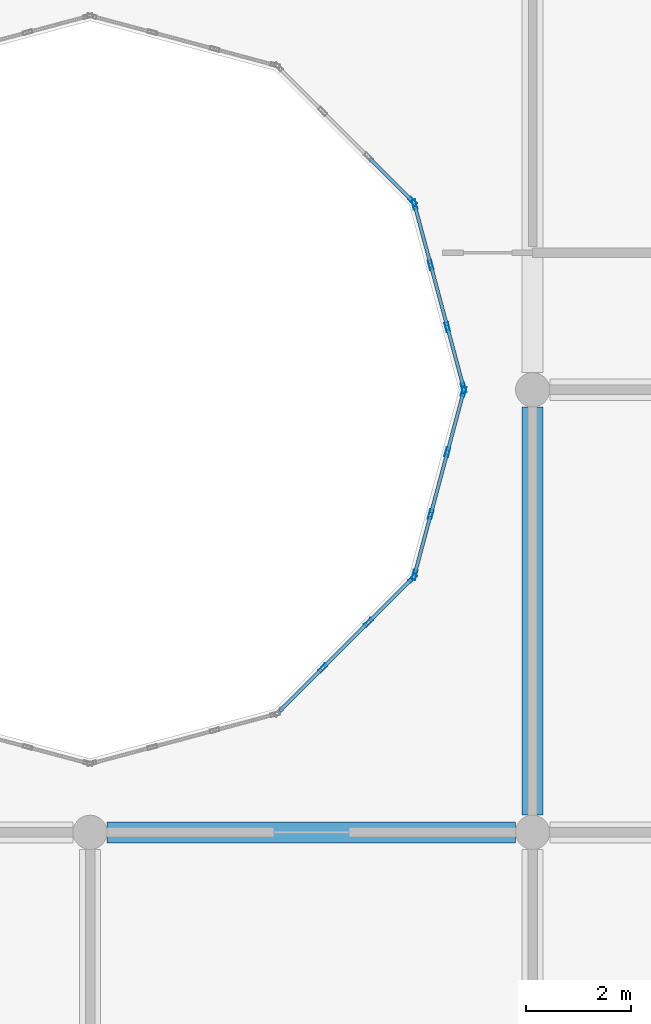
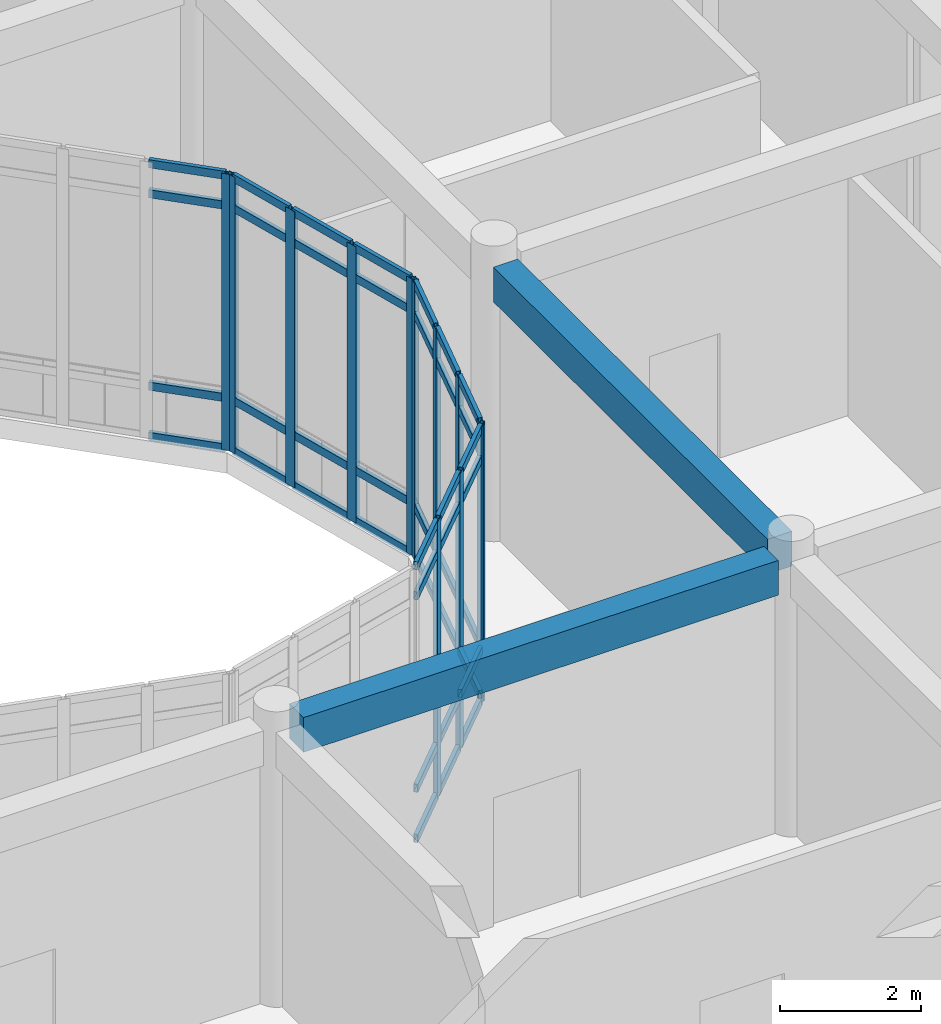
# One storey, part 44 of 134: 52 members, 2 beams, 4 elements without a shape of their own.
"""IFC4 building model written with IfcOpenShell, lengths in metres."""

from ifc_helpers import new_model, si_unit, direction, frame, origin, origin_2d, place, context, subcontext, project, spatial, rectangle, hollow_rectangle, extrude, material, layer, layer_set, material_profile, profile_set, type_object, element, aggregate, save


model = new_model("IFC4")

# Units and contexts
model_context = context("Model", 3, precision=1e-05, world=origin(), true_north=direction((0.0, 1.0)))
body_context = subcontext(model_context, "Body", "Model", "MODEL_VIEW")
ifc_project = project(units=[si_unit("LENGTHUNIT", "METRE"), si_unit("AREAUNIT", "SQUARE_METRE"), si_unit("VOLUMEUNIT", "CUBIC_METRE"), si_unit("PLANEANGLEUNIT", "RADIAN"), si_unit("MASSUNIT", "GRAM", prefix="KILO")], contexts=[model_context])

# Site, building, storey
site_placement = place(None, origin())
site = spatial("IfcSite", under=ifc_project, at=site_placement, CompositionType="ELEMENT")
building_placement = place(site_placement, origin())
building = spatial("IfcBuilding", under=site, at=building_placement, Name="Bramfleet General Hospital", CompositionType="ELEMENT")
storey_placement = place(building_placement, frame((0.0, 0.0, 9.300048828125)))
storey = spatial("IfcBuildingStorey", under=building, at=storey_placement, Name="L02", CompositionType="ELEMENT", Elevation=9.300048828125)

# Beams
ifc_material_1 = material(Name="Concrete C35/45", Category="concrete")
ifc_material_profile_1 = material_profile(ifc_material_1, rectangle(XDim=0.39990234375, YDim=0.60009765625, at=origin_2d()), Name="RC BM 600x400")
ifc_profile_set_1 = profile_set([ifc_material_profile_1], Name="Concrete C35/45")
beam_type = type_object("IfcBeamType", Name="BM-RC600", PredefinedType="BEAM", material=ifc_profile_set_1)
for number, where, z_axis, x_axis, name in (
    (1, (84.324951171875, 67.199951171875, 4.47998046875), (1.0, 0.0, 0.0), (0.0, 1.0, 0.0), "L02 Grid Beam X 10-08"),
    (2, (92.39990234375, 67.52490234375, 4.47998046875), (0.0, 1.0, 0.0), (-1.0, 0.0, 0.0), "L02 Grid Beam Y 11-08"),
):
    element("IfcBeam", number, at=place(storey_placement, frame(where, z_axis=z_axis, x_axis=x_axis)), inside=storey, type_object=beam_type, Name=name, PredefinedType="BEAM", context=body_context, shape_type="SweptSolid", body=[
        extrude(rectangle(XDim=0.39990234375, YDim=0.60009765625, at=origin_2d()), origin(), (0.0, 0.0, 1.0), 7.75),
    ])

# Curtain wall, members
ifc_material_2 = material(Name="Anodised aluminium and low-E triple glazing", Category="aluminium")
ifc_layer_1 = layer(ifc_material_2, 0.179931640625, Name="CWT-CW-13")
ifc_layer_set_1 = layer_set([ifc_layer_1], Name="Anodised aluminium and low-E triple glazing")
curtain_wall_type_1 = type_object("IfcCurtainWallType", Name="CWT-CW-13", PredefinedType="USERDEFINED", material=ifc_layer_set_1)
curtain_wall_1_placement = place(storey_placement, origin())
curtain_wall_1 = element("IfcCurtainWall", 3, at=curtain_wall_1_placement, inside=storey, type_object=curtain_wall_type_1, Name="L02 Central Diagnostic Light Court Curtain Wall 5.1", ObjectType="Stick curtain wall", PredefinedType="USERDEFINED")
ifc_material_3 = material(Name="Anodised aluminium EN AW-6060", Category="aluminium")
ifc_material_profile_2 = material_profile(ifc_material_3, hollow_rectangle(XDim=0.070068359375, YDim=0.179931640625, WallThickness=0.00390625, at=origin_2d()), Name="ALU 180x70x4.0")
ifc_profile_set_2 = profile_set([ifc_material_profile_2], Name="Anodised aluminium EN AW-6060")
member_type_1 = type_object("IfcMemberType", Name="CWM-ALU180", PredefinedType="MULLION", material=ifc_profile_set_2)
member_1_placement = place(storey_placement, frame((88.416259765625, 70.3173828125, 0.0), z_axis=(0.0, 0.0, 1.0), x_axis=(-0.707106781187, 0.707106781187, 0.0)))
member_1 = element("IfcMember", 4, at=member_1_placement, type_object=member_type_1, Name="CW-13 mullion 2", PredefinedType="MULLION", context=body_context, shape_type="SweptSolid", body=[
    extrude(hollow_rectangle(XDim=0.070068359375, YDim=0.179931640625, WallThickness=0.00390625, at=origin_2d()), origin(), (0.0, 0.0, 1.0), 4.77001953125),
])
member_2_placement = place(storey_placement, frame((89.28271484375, 71.18359375, 0.0), z_axis=(0.0, 0.0, 1.0), x_axis=(-0.707106781187, 0.707106781187, 0.0)))
member_2 = element("IfcMember", 5, at=member_2_placement, type_object=member_type_1, Name="CW-13 mullion 3", PredefinedType="MULLION", context=body_context, shape_type="SweptSolid", body=[
    extrude(hollow_rectangle(XDim=0.070068359375, YDim=0.179931640625, WallThickness=0.00390625, at=origin_2d()), origin(), (0.0, 0.0, 1.0), 4.77001953125),
])
member_3_placement = place(storey_placement, frame((90.124267578125, 72.025146484375, 0.0), z_axis=(0.0, 0.0, 1.0), x_axis=(-0.707106781187, 0.707106781187, 0.0)))
member_3 = element("IfcMember", 6, at=member_3_placement, type_object=member_type_1, Name="CW-13 mullion 4", PredefinedType="MULLION", context=body_context, shape_type="SweptSolid", body=[
    extrude(hollow_rectangle(XDim=0.070068359375, YDim=0.179931640625, WallThickness=0.00390625, at=origin_2d()), origin(), (0.0, 0.0, 1.0), 4.77001953125),
])

ifc_layer_2 = layer(ifc_material_2, 0.179931640625, Name="CWT-CW-14")
ifc_layer_set_2 = layer_set([ifc_layer_2], Name="Anodised aluminium and low-E triple glazing")
curtain_wall_type_2 = type_object("IfcCurtainWallType", Name="CWT-CW-14", PredefinedType="USERDEFINED", material=ifc_layer_set_2)
curtain_wall_2_placement = place(storey_placement, origin())
curtain_wall_2 = element("IfcCurtainWall", 7, at=curtain_wall_2_placement, inside=storey, type_object=curtain_wall_type_2, Name="L02 Central Diagnostic Light Court Curtain Wall 6.1", ObjectType="Stick curtain wall", PredefinedType="USERDEFINED")
member_4_placement = place(storey_placement, frame((90.157958984375, 72.083740234375, 0.0), z_axis=(0.0, 0.0, 1.0), x_axis=(-0.965940765005, 0.258763286618, 0.0)))
member_4 = element("IfcMember", 8, at=member_4_placement, type_object=member_type_1, Name="CW-14 mullion 1", PredefinedType="MULLION", context=body_context, shape_type="SweptSolid", body=[
    extrude(hollow_rectangle(XDim=0.070068359375, YDim=0.179931640625, WallThickness=0.00390625, at=origin_2d()), origin(), (0.0, 0.0, 1.0), 4.77001953125),
])
member_5_placement = place(storey_placement, frame((90.466064453125, 73.2333984375, 0.0), z_axis=(0.0, 0.0, 1.0), x_axis=(-0.965940765005, 0.258763286618, 0.0)))
member_5 = element("IfcMember", 9, at=member_5_placement, type_object=member_type_1, Name="CW-14 mullion 2", PredefinedType="MULLION", context=body_context, shape_type="SweptSolid", body=[
    extrude(hollow_rectangle(XDim=0.070068359375, YDim=0.179931640625, WallThickness=0.00390625, at=origin_2d()), origin(), (0.0, 0.0, 1.0), 4.77001953125),
])
member_6_placement = place(storey_placement, frame((90.782958984375, 74.416748046875, 0.0), z_axis=(0.0, 0.0, 1.0), x_axis=(-0.965940765005, 0.258763286618, 0.0)))
member_6 = element("IfcMember", 10, at=member_6_placement, type_object=member_type_1, Name="CW-14 mullion 3", PredefinedType="MULLION", context=body_context, shape_type="SweptSolid", body=[
    extrude(hollow_rectangle(XDim=0.070068359375, YDim=0.179931640625, WallThickness=0.00390625, at=origin_2d()), origin(), (0.0, 0.0, 1.0), 4.77001953125),
])
member_7_placement = place(storey_placement, frame((91.091064453125, 75.566162109375, 0.0), z_axis=(0.0, 0.0, 1.0), x_axis=(-0.965940765005, 0.258763286618, 0.0)))
member_7 = element("IfcMember", 11, at=member_7_placement, type_object=member_type_1, Name="CW-14 mullion 4", PredefinedType="MULLION", context=body_context, shape_type="SweptSolid", body=[
    extrude(hollow_rectangle(XDim=0.070068359375, YDim=0.179931640625, WallThickness=0.00390625, at=origin_2d()), origin(), (0.0, 0.0, 1.0), 4.77001953125),
])

ifc_layer_3 = layer(ifc_material_2, 0.179931640625, Name="CWT-CW-15")
ifc_layer_set_3 = layer_set([ifc_layer_3], Name="Anodised aluminium and low-E triple glazing")
curtain_wall_type_3 = type_object("IfcCurtainWallType", Name="CWT-CW-15", PredefinedType="USERDEFINED", material=ifc_layer_set_3)
curtain_wall_3_placement = place(storey_placement, origin())
curtain_wall_3 = element("IfcCurtainWall", 12, at=curtain_wall_3_placement, inside=storey, type_object=curtain_wall_type_3, Name="L02 Central Diagnostic Light Court Curtain Wall 7.1", ObjectType="Stick curtain wall", PredefinedType="USERDEFINED")
member_8_placement = place(storey_placement, frame((91.091064453125, 75.6337890625, 0.0), z_axis=(0.0, 0.0, 1.0), x_axis=(-0.965940765005, -0.258763286618, 0.0)))
member_8 = element("IfcMember", 13, at=member_8_placement, type_object=member_type_1, Name="CW-15 mullion 1", PredefinedType="MULLION", context=body_context, shape_type="SweptSolid", body=[
    extrude(hollow_rectangle(XDim=0.070068359375, YDim=0.179931640625, WallThickness=0.00390625, at=origin_2d()), origin(), (0.0, 0.0, 1.0), 4.77001953125),
])
member_9_placement = place(storey_placement, frame((90.782958984375, 76.783447265625, 0.0), z_axis=(0.0, 0.0, 1.0), x_axis=(-0.965940765005, -0.258763286618, 0.0)))
member_9 = element("IfcMember", 14, at=member_9_placement, type_object=member_type_1, Name="CW-15 mullion 2", PredefinedType="MULLION", context=body_context, shape_type="SweptSolid", body=[
    extrude(hollow_rectangle(XDim=0.070068359375, YDim=0.179931640625, WallThickness=0.00390625, at=origin_2d()), origin(), (0.0, 0.0, 1.0), 4.77001953125),
])
member_10_placement = place(storey_placement, frame((90.466064453125, 77.966552734375, 0.0), z_axis=(0.0, 0.0, 1.0), x_axis=(-0.965940765005, -0.258763286618, 0.0)))
member_10 = element("IfcMember", 15, at=member_10_placement, type_object=member_type_1, Name="CW-15 mullion 3", PredefinedType="MULLION", context=body_context, shape_type="SweptSolid", body=[
    extrude(hollow_rectangle(XDim=0.070068359375, YDim=0.179931640625, WallThickness=0.00390625, at=origin_2d()), origin(), (0.0, 0.0, 1.0), 4.77001953125),
])
member_11_placement = place(storey_placement, frame((90.157958984375, 79.1162109375, 0.0), z_axis=(0.0, 0.0, 1.0), x_axis=(-0.965940765005, -0.258763286618, 0.0)))
member_11 = element("IfcMember", 16, at=member_11_placement, type_object=member_type_1, Name="CW-15 mullion 4", PredefinedType="MULLION", context=body_context, shape_type="SweptSolid", body=[
    extrude(hollow_rectangle(XDim=0.070068359375, YDim=0.179931640625, WallThickness=0.00390625, at=origin_2d()), origin(), (0.0, 0.0, 1.0), 4.77001953125),
])

# Curtain wall, member
ifc_layer_4 = layer(ifc_material_2, 0.179931640625, Name="CWT-CW-16")
ifc_layer_set_4 = layer_set([ifc_layer_4], Name="Anodised aluminium and low-E triple glazing")
curtain_wall_type_4 = type_object("IfcCurtainWallType", Name="CWT-CW-16", PredefinedType="USERDEFINED", material=ifc_layer_set_4)
curtain_wall_4_placement = place(storey_placement, origin())
curtain_wall_4 = element("IfcCurtainWall", 17, at=curtain_wall_4_placement, inside=storey, type_object=curtain_wall_type_4, Name="L02 Central Diagnostic Light Court Curtain Wall 8.1", ObjectType="Stick curtain wall", PredefinedType="USERDEFINED")
member_12_placement = place(storey_placement, frame((90.124267578125, 79.1748046875, 0.0), z_axis=(0.0, 0.0, 1.0), x_axis=(-0.707106781187, -0.707106781187, 0.0)))
member_12 = element("IfcMember", 18, at=member_12_placement, type_object=member_type_1, Name="CW-16 mullion 1", PredefinedType="MULLION", context=body_context, shape_type="SweptSolid", body=[
    extrude(hollow_rectangle(XDim=0.070068359375, YDim=0.179931640625, WallThickness=0.00390625, at=origin_2d()), origin(), (0.0, 0.0, 1.0), 4.77001953125),
])

# Member
ifc_material_profile_3 = material_profile(ifc_material_3, hollow_rectangle(XDim=0.06494140625, YDim=0.139892578125, WallThickness=0.00390625, at=origin_2d()), Name="ALU 140x65x4.0")
ifc_profile_set_3 = profile_set([ifc_material_profile_3], Name="Anodised aluminium EN AW-6060")
member_type_2 = type_object("IfcMemberType", Name="CWT-ALU140", PredefinedType="USERDEFINED", material=ifc_profile_set_3)
member_13_placement = place(storey_placement, frame((87.599609375, 69.50048828125, 0.032470703125), z_axis=(0.707106781187, 0.707106781187, 0.0), x_axis=(-0.707106781187, 0.707106781187, 0.0)))
member_13 = element("IfcMember", 19, at=member_13_placement, type_object=member_type_2, Name="CW-13 transom 1.1", ObjectType="TRANSOM", PredefinedType="USERDEFINED", context=body_context, shape_type="SweptSolid", body=[
    extrude(hollow_rectangle(XDim=0.06494140625, YDim=0.139892578125, WallThickness=0.00390625, at=origin_2d()), origin(), (0.0, 0.0, 1.0), 1.1201171875),
])

member_14_placement = place(storey_placement, frame((87.599609375, 69.50048828125, 0.89990234375), z_axis=(0.707106781187, 0.707106781187, 0.0), x_axis=(-0.707106781187, 0.707106781187, 0.0)))
member_14 = element("IfcMember", 20, at=member_14_placement, type_object=member_type_2, Name="CW-13 transom 1.2", ObjectType="TRANSOM", PredefinedType="USERDEFINED", context=body_context, shape_type="SweptSolid", body=[
    extrude(hollow_rectangle(XDim=0.06494140625, YDim=0.139892578125, WallThickness=0.00390625, at=origin_2d()), origin(), (0.0, 0.0, 1.0), 1.1201171875),
])

member_15_placement = place(storey_placement, frame((87.599609375, 69.50048828125, 4.219970703125), z_axis=(0.707106781187, 0.707106781187, 0.0), x_axis=(-0.707106781187, 0.707106781187, 0.0)))
member_15 = element("IfcMember", 21, at=member_15_placement, type_object=member_type_2, Name="CW-13 transom 1.3", ObjectType="TRANSOM", PredefinedType="USERDEFINED", context=body_context, shape_type="SweptSolid", body=[
    extrude(hollow_rectangle(XDim=0.06494140625, YDim=0.139892578125, WallThickness=0.00390625, at=origin_2d()), origin(), (0.0, 0.0, 1.0), 1.1201171875),
])

member_16_placement = place(storey_placement, frame((87.599609375, 69.50048828125, 4.737548828125), z_axis=(0.707106781187, 0.707106781187, 0.0), x_axis=(-0.707106781187, 0.707106781187, 0.0)))
member_16 = element("IfcMember", 22, at=member_16_placement, type_object=member_type_2, Name="CW-13 transom 1.4", ObjectType="TRANSOM", PredefinedType="USERDEFINED", context=body_context, shape_type="SweptSolid", body=[
    extrude(hollow_rectangle(XDim=0.06494140625, YDim=0.139892578125, WallThickness=0.00390625, at=origin_2d()), origin(), (0.0, 0.0, 1.0), 1.1201171875),
])

member_17_placement = place(storey_placement, frame((88.441162109375, 70.342041015625, 0.032470703125), z_axis=(0.707001093006, 0.707212453572, 0.0), x_axis=(-0.707212453572, 0.707001093006, 0.0)))
member_17 = element("IfcMember", 23, at=member_17_placement, type_object=member_type_2, Name="CW-13 transom 2.1", ObjectType="TRANSOM", PredefinedType="USERDEFINED", context=body_context, shape_type="SweptSolid", body=[
    extrude(hollow_rectangle(XDim=0.06494140625, YDim=0.139892578125, WallThickness=0.00390625, at=origin_2d()), origin(), (0.0, 0.0, 1.0), 1.155029296875),
])

member_18_placement = place(storey_placement, frame((88.441162109375, 70.342041015625, 0.89990234375), z_axis=(0.707001093006, 0.707212453572, 0.0), x_axis=(-0.707212453572, 0.707001093006, 0.0)))
member_18 = element("IfcMember", 24, at=member_18_placement, type_object=member_type_2, Name="CW-13 transom 2.2", ObjectType="TRANSOM", PredefinedType="USERDEFINED", context=body_context, shape_type="SweptSolid", body=[
    extrude(hollow_rectangle(XDim=0.06494140625, YDim=0.139892578125, WallThickness=0.00390625, at=origin_2d()), origin(), (0.0, 0.0, 1.0), 1.155029296875),
])

member_19_placement = place(storey_placement, frame((88.441162109375, 70.342041015625, 4.219970703125), z_axis=(0.707001093006, 0.707212453572, 0.0), x_axis=(-0.707212453572, 0.707001093006, 0.0)))
member_19 = element("IfcMember", 25, at=member_19_placement, type_object=member_type_2, Name="CW-13 transom 2.3", ObjectType="TRANSOM", PredefinedType="USERDEFINED", context=body_context, shape_type="SweptSolid", body=[
    extrude(hollow_rectangle(XDim=0.06494140625, YDim=0.139892578125, WallThickness=0.00390625, at=origin_2d()), origin(), (0.0, 0.0, 1.0), 1.155029296875),
])

member_20_placement = place(storey_placement, frame((88.441162109375, 70.342041015625, 4.737548828125), z_axis=(0.707001093006, 0.707212453572, 0.0), x_axis=(-0.707212453572, 0.707001093006, 0.0)))
member_20 = element("IfcMember", 26, at=member_20_placement, type_object=member_type_2, Name="CW-13 transom 2.4", ObjectType="TRANSOM", PredefinedType="USERDEFINED", context=body_context, shape_type="SweptSolid", body=[
    extrude(hollow_rectangle(XDim=0.06494140625, YDim=0.139892578125, WallThickness=0.00390625, at=origin_2d()), origin(), (0.0, 0.0, 1.0), 1.155029296875),
])

member_21_placement = place(storey_placement, frame((89.307373046875, 71.20849609375, 0.032470703125), z_axis=(0.707215742858, 0.706997802722, 0.0), x_axis=(-0.706997802722, 0.707215742858, 0.0)))
member_21 = element("IfcMember", 27, at=member_21_placement, type_object=member_type_2, Name="CW-13 transom 3.1", ObjectType="TRANSOM", PredefinedType="USERDEFINED", context=body_context, shape_type="SweptSolid", body=[
    extrude(hollow_rectangle(XDim=0.06494140625, YDim=0.139892578125, WallThickness=0.00390625, at=origin_2d()), origin(), (0.0, 0.0, 1.0), 1.1201171875),
])

member_22_placement = place(storey_placement, frame((89.307373046875, 71.20849609375, 0.89990234375), z_axis=(0.707215742858, 0.706997802722, 0.0), x_axis=(-0.706997802722, 0.707215742858, 0.0)))
member_22 = element("IfcMember", 28, at=member_22_placement, type_object=member_type_2, Name="CW-13 transom 3.2", ObjectType="TRANSOM", PredefinedType="USERDEFINED", context=body_context, shape_type="SweptSolid", body=[
    extrude(hollow_rectangle(XDim=0.06494140625, YDim=0.139892578125, WallThickness=0.00390625, at=origin_2d()), origin(), (0.0, 0.0, 1.0), 1.1201171875),
])

member_23_placement = place(storey_placement, frame((89.307373046875, 71.20849609375, 4.219970703125), z_axis=(0.707215742858, 0.706997802722, 0.0), x_axis=(-0.706997802722, 0.707215742858, 0.0)))
member_23 = element("IfcMember", 29, at=member_23_placement, type_object=member_type_2, Name="CW-13 transom 3.3", ObjectType="TRANSOM", PredefinedType="USERDEFINED", context=body_context, shape_type="SweptSolid", body=[
    extrude(hollow_rectangle(XDim=0.06494140625, YDim=0.139892578125, WallThickness=0.00390625, at=origin_2d()), origin(), (0.0, 0.0, 1.0), 1.1201171875),
])

member_24_placement = place(storey_placement, frame((89.307373046875, 71.20849609375, 4.737548828125), z_axis=(0.707215742858, 0.706997802722, 0.0), x_axis=(-0.706997802722, 0.707215742858, 0.0)))
member_24 = element("IfcMember", 30, at=member_24_placement, type_object=member_type_2, Name="CW-13 transom 3.4", ObjectType="TRANSOM", PredefinedType="USERDEFINED", context=body_context, shape_type="SweptSolid", body=[
    extrude(hollow_rectangle(XDim=0.06494140625, YDim=0.139892578125, WallThickness=0.00390625, at=origin_2d()), origin(), (0.0, 0.0, 1.0), 1.1201171875),
])

aggregate(curtain_wall_1, [member_1, member_2, member_3, member_13, member_14, member_15, member_16, member_17, member_18, member_19, member_20, member_21, member_22, member_23, member_24])

member_25_placement = place(storey_placement, frame((90.1669921875, 72.11767578125, 0.032470703125), z_axis=(0.258964892978, 0.965886734667, 0.0), x_axis=(-0.965886734667, 0.258964892978, 0.0)))
member_25 = element("IfcMember", 31, at=member_25_placement, type_object=member_type_2, Name="CW-14 transom 1.1", ObjectType="TRANSOM", PredefinedType="USERDEFINED", context=body_context, shape_type="SweptSolid", body=[
    extrude(hollow_rectangle(XDim=0.06494140625, YDim=0.139892578125, WallThickness=0.00390625, at=origin_2d()), origin(), (0.0, 0.0, 1.0), 1.119873046875),
])

member_26_placement = place(storey_placement, frame((90.1669921875, 72.11767578125, 0.89990234375), z_axis=(0.258964892978, 0.965886734667, 0.0), x_axis=(-0.965886734667, 0.258964892978, 0.0)))
member_26 = element("IfcMember", 32, at=member_26_placement, type_object=member_type_2, Name="CW-14 transom 1.2", ObjectType="TRANSOM", PredefinedType="USERDEFINED", context=body_context, shape_type="SweptSolid", body=[
    extrude(hollow_rectangle(XDim=0.06494140625, YDim=0.139892578125, WallThickness=0.00390625, at=origin_2d()), origin(), (0.0, 0.0, 1.0), 1.119873046875),
])

member_27_placement = place(storey_placement, frame((90.1669921875, 72.11767578125, 4.219970703125), z_axis=(0.258964892978, 0.965886734667, 0.0), x_axis=(-0.965886734667, 0.258964892978, 0.0)))
member_27 = element("IfcMember", 33, at=member_27_placement, type_object=member_type_2, Name="CW-14 transom 1.3", ObjectType="TRANSOM", PredefinedType="USERDEFINED", context=body_context, shape_type="SweptSolid", body=[
    extrude(hollow_rectangle(XDim=0.06494140625, YDim=0.139892578125, WallThickness=0.00390625, at=origin_2d()), origin(), (0.0, 0.0, 1.0), 1.119873046875),
])

member_28_placement = place(storey_placement, frame((90.1669921875, 72.11767578125, 4.737548828125), z_axis=(0.258964892978, 0.965886734667, 0.0), x_axis=(-0.965886734667, 0.258964892978, 0.0)))
member_28 = element("IfcMember", 34, at=member_28_placement, type_object=member_type_2, Name="CW-14 transom 1.4", ObjectType="TRANSOM", PredefinedType="USERDEFINED", context=body_context, shape_type="SweptSolid", body=[
    extrude(hollow_rectangle(XDim=0.06494140625, YDim=0.139892578125, WallThickness=0.00390625, at=origin_2d()), origin(), (0.0, 0.0, 1.0), 1.119873046875),
])

member_29_placement = place(storey_placement, frame((90.47509765625, 73.26708984375, 0.032470703125), z_axis=(0.258714954608, 0.965953711242, 0.0), x_axis=(-0.965953711242, 0.258714954608, 0.0)))
member_29 = element("IfcMember", 35, at=member_29_placement, type_object=member_type_2, Name="CW-14 transom 2.1", ObjectType="TRANSOM", PredefinedType="USERDEFINED", context=body_context, shape_type="SweptSolid", body=[
    extrude(hollow_rectangle(XDim=0.06494140625, YDim=0.139892578125, WallThickness=0.00390625, at=origin_2d()), origin(), (0.0, 0.0, 1.0), 1.155029296875),
])

member_30_placement = place(storey_placement, frame((90.47509765625, 73.26708984375, 0.89990234375), z_axis=(0.258714954608, 0.965953711242, 0.0), x_axis=(-0.965953711242, 0.258714954608, 0.0)))
member_30 = element("IfcMember", 36, at=member_30_placement, type_object=member_type_2, Name="CW-14 transom 2.2", ObjectType="TRANSOM", PredefinedType="USERDEFINED", context=body_context, shape_type="SweptSolid", body=[
    extrude(hollow_rectangle(XDim=0.06494140625, YDim=0.139892578125, WallThickness=0.00390625, at=origin_2d()), origin(), (0.0, 0.0, 1.0), 1.155029296875),
])

member_31_placement = place(storey_placement, frame((90.47509765625, 73.26708984375, 4.219970703125), z_axis=(0.258714954608, 0.965953711242, 0.0), x_axis=(-0.965953711242, 0.258714954608, 0.0)))
member_31 = element("IfcMember", 37, at=member_31_placement, type_object=member_type_2, Name="CW-14 transom 2.3", ObjectType="TRANSOM", PredefinedType="USERDEFINED", context=body_context, shape_type="SweptSolid", body=[
    extrude(hollow_rectangle(XDim=0.06494140625, YDim=0.139892578125, WallThickness=0.00390625, at=origin_2d()), origin(), (0.0, 0.0, 1.0), 1.155029296875),
])

member_32_placement = place(storey_placement, frame((90.47509765625, 73.26708984375, 4.737548828125), z_axis=(0.258714954608, 0.965953711242, 0.0), x_axis=(-0.965953711242, 0.258714954608, 0.0)))
member_32 = element("IfcMember", 38, at=member_32_placement, type_object=member_type_2, Name="CW-14 transom 2.4", ObjectType="TRANSOM", PredefinedType="USERDEFINED", context=body_context, shape_type="SweptSolid", body=[
    extrude(hollow_rectangle(XDim=0.06494140625, YDim=0.139892578125, WallThickness=0.00390625, at=origin_2d()), origin(), (0.0, 0.0, 1.0), 1.155029296875),
])

member_33_placement = place(storey_placement, frame((90.7919921875, 74.450439453125, 0.032470703125), z_axis=(0.25870703371, 0.965955832691, 0.0), x_axis=(-0.965955832691, 0.25870703371, 0.0)))
member_33 = element("IfcMember", 39, at=member_33_placement, type_object=member_type_2, Name="CW-14 transom 3.1", ObjectType="TRANSOM", PredefinedType="USERDEFINED", context=body_context, shape_type="SweptSolid", body=[
    extrude(hollow_rectangle(XDim=0.06494140625, YDim=0.139892578125, WallThickness=0.00390625, at=origin_2d()), origin(), (0.0, 0.0, 1.0), 1.1201171875),
])

member_34_placement = place(storey_placement, frame((90.7919921875, 74.450439453125, 0.89990234375), z_axis=(0.25870703371, 0.965955832691, 0.0), x_axis=(-0.965955832691, 0.25870703371, 0.0)))
member_34 = element("IfcMember", 40, at=member_34_placement, type_object=member_type_2, Name="CW-14 transom 3.2", ObjectType="TRANSOM", PredefinedType="USERDEFINED", context=body_context, shape_type="SweptSolid", body=[
    extrude(hollow_rectangle(XDim=0.06494140625, YDim=0.139892578125, WallThickness=0.00390625, at=origin_2d()), origin(), (0.0, 0.0, 1.0), 1.1201171875),
])

member_35_placement = place(storey_placement, frame((90.7919921875, 74.450439453125, 4.219970703125), z_axis=(0.25870703371, 0.965955832691, 0.0), x_axis=(-0.965955832691, 0.25870703371, 0.0)))
member_35 = element("IfcMember", 41, at=member_35_placement, type_object=member_type_2, Name="CW-14 transom 3.3", ObjectType="TRANSOM", PredefinedType="USERDEFINED", context=body_context, shape_type="SweptSolid", body=[
    extrude(hollow_rectangle(XDim=0.06494140625, YDim=0.139892578125, WallThickness=0.00390625, at=origin_2d()), origin(), (0.0, 0.0, 1.0), 1.1201171875),
])

member_36_placement = place(storey_placement, frame((90.7919921875, 74.450439453125, 4.737548828125), z_axis=(0.25870703371, 0.965955832691, 0.0), x_axis=(-0.965955832691, 0.25870703371, 0.0)))
member_36 = element("IfcMember", 42, at=member_36_placement, type_object=member_type_2, Name="CW-14 transom 3.4", ObjectType="TRANSOM", PredefinedType="USERDEFINED", context=body_context, shape_type="SweptSolid", body=[
    extrude(hollow_rectangle(XDim=0.06494140625, YDim=0.139892578125, WallThickness=0.00390625, at=origin_2d()), origin(), (0.0, 0.0, 1.0), 1.1201171875),
])

aggregate(curtain_wall_2, [member_4, member_5, member_6, member_7, member_25, member_26, member_27, member_28, member_29, member_30, member_31, member_32, member_33, member_34, member_35, member_36])

member_37_placement = place(storey_placement, frame((91.081787109375, 75.667724609375, 0.032470703125), z_axis=(-0.258761510459, 0.965941240814, 0.0), x_axis=(-0.965941240814, -0.258761510459, 0.0)))
member_37 = element("IfcMember", 43, at=member_37_placement, type_object=member_type_2, Name="CW-15 transom 1.1", ObjectType="TRANSOM", PredefinedType="USERDEFINED", context=body_context, shape_type="SweptSolid", body=[
    extrude(hollow_rectangle(XDim=0.06494140625, YDim=0.139892578125, WallThickness=0.00390625, at=origin_2d()), origin(), (0.0, 0.0, 1.0), 1.119873046875),
])

member_38_placement = place(storey_placement, frame((91.081787109375, 75.667724609375, 0.89990234375), z_axis=(-0.258761510459, 0.965941240814, 0.0), x_axis=(-0.965941240814, -0.258761510459, 0.0)))
member_38 = element("IfcMember", 44, at=member_38_placement, type_object=member_type_2, Name="CW-15 transom 1.2", ObjectType="TRANSOM", PredefinedType="USERDEFINED", context=body_context, shape_type="SweptSolid", body=[
    extrude(hollow_rectangle(XDim=0.06494140625, YDim=0.139892578125, WallThickness=0.00390625, at=origin_2d()), origin(), (0.0, 0.0, 1.0), 1.119873046875),
])

member_39_placement = place(storey_placement, frame((91.081787109375, 75.667724609375, 4.219970703125), z_axis=(-0.258761510459, 0.965941240814, 0.0), x_axis=(-0.965941240814, -0.258761510459, 0.0)))
member_39 = element("IfcMember", 45, at=member_39_placement, type_object=member_type_2, Name="CW-15 transom 1.3", ObjectType="TRANSOM", PredefinedType="USERDEFINED", context=body_context, shape_type="SweptSolid", body=[
    extrude(hollow_rectangle(XDim=0.06494140625, YDim=0.139892578125, WallThickness=0.00390625, at=origin_2d()), origin(), (0.0, 0.0, 1.0), 1.119873046875),
])

member_40_placement = place(storey_placement, frame((91.081787109375, 75.667724609375, 4.737548828125), z_axis=(-0.258761510459, 0.965941240814, 0.0), x_axis=(-0.965941240814, -0.258761510459, 0.0)))
member_40 = element("IfcMember", 46, at=member_40_placement, type_object=member_type_2, Name="CW-15 transom 1.4", ObjectType="TRANSOM", PredefinedType="USERDEFINED", context=body_context, shape_type="SweptSolid", body=[
    extrude(hollow_rectangle(XDim=0.06494140625, YDim=0.139892578125, WallThickness=0.00390625, at=origin_2d()), origin(), (0.0, 0.0, 1.0), 1.119873046875),
])

member_41_placement = place(storey_placement, frame((90.77392578125, 76.817138671875, 0.032470703125), z_axis=(-0.258714954608, 0.965953711242, 0.0), x_axis=(-0.965953711242, -0.258714954608, 0.0)))
member_41 = element("IfcMember", 47, at=member_41_placement, type_object=member_type_2, Name="CW-15 transom 2.1", ObjectType="TRANSOM", PredefinedType="USERDEFINED", context=body_context, shape_type="SweptSolid", body=[
    extrude(hollow_rectangle(XDim=0.06494140625, YDim=0.139892578125, WallThickness=0.00390625, at=origin_2d()), origin(), (0.0, 0.0, 1.0), 1.155029296875),
])

member_42_placement = place(storey_placement, frame((90.77392578125, 76.817138671875, 0.89990234375), z_axis=(-0.258714954608, 0.965953711242, 0.0), x_axis=(-0.965953711242, -0.258714954608, 0.0)))
member_42 = element("IfcMember", 48, at=member_42_placement, type_object=member_type_2, Name="CW-15 transom 2.2", ObjectType="TRANSOM", PredefinedType="USERDEFINED", context=body_context, shape_type="SweptSolid", body=[
    extrude(hollow_rectangle(XDim=0.06494140625, YDim=0.139892578125, WallThickness=0.00390625, at=origin_2d()), origin(), (0.0, 0.0, 1.0), 1.155029296875),
])

member_43_placement = place(storey_placement, frame((90.77392578125, 76.817138671875, 4.219970703125), z_axis=(-0.258714954608, 0.965953711242, 0.0), x_axis=(-0.965953711242, -0.258714954608, 0.0)))
member_43 = element("IfcMember", 49, at=member_43_placement, type_object=member_type_2, Name="CW-15 transom 2.3", ObjectType="TRANSOM", PredefinedType="USERDEFINED", context=body_context, shape_type="SweptSolid", body=[
    extrude(hollow_rectangle(XDim=0.06494140625, YDim=0.139892578125, WallThickness=0.00390625, at=origin_2d()), origin(), (0.0, 0.0, 1.0), 1.155029296875),
])

member_44_placement = place(storey_placement, frame((90.77392578125, 76.817138671875, 4.737548828125), z_axis=(-0.258714954608, 0.965953711242, 0.0), x_axis=(-0.965953711242, -0.258714954608, 0.0)))
member_44 = element("IfcMember", 50, at=member_44_placement, type_object=member_type_2, Name="CW-15 transom 2.4", ObjectType="TRANSOM", PredefinedType="USERDEFINED", context=body_context, shape_type="SweptSolid", body=[
    extrude(hollow_rectangle(XDim=0.06494140625, YDim=0.139892578125, WallThickness=0.00390625, at=origin_2d()), origin(), (0.0, 0.0, 1.0), 1.155029296875),
])

member_45_placement = place(storey_placement, frame((90.45703125, 78.00048828125, 0.032470703125), z_axis=(-0.258964892978, 0.965886734667, 0.0), x_axis=(-0.965886734667, -0.258964892978, 0.0)))
member_45 = element("IfcMember", 51, at=member_45_placement, type_object=member_type_2, Name="CW-15 transom 3.1", ObjectType="TRANSOM", PredefinedType="USERDEFINED", context=body_context, shape_type="SweptSolid", body=[
    extrude(hollow_rectangle(XDim=0.06494140625, YDim=0.139892578125, WallThickness=0.00390625, at=origin_2d()), origin(), (0.0, 0.0, 1.0), 1.119873046875),
])

member_46_placement = place(storey_placement, frame((90.45703125, 78.00048828125, 0.89990234375), z_axis=(-0.258964892978, 0.965886734667, 0.0), x_axis=(-0.965886734667, -0.258964892978, 0.0)))
member_46 = element("IfcMember", 52, at=member_46_placement, type_object=member_type_2, Name="CW-15 transom 3.2", ObjectType="TRANSOM", PredefinedType="USERDEFINED", context=body_context, shape_type="SweptSolid", body=[
    extrude(hollow_rectangle(XDim=0.06494140625, YDim=0.139892578125, WallThickness=0.00390625, at=origin_2d()), origin(), (0.0, 0.0, 1.0), 1.119873046875),
])

member_47_placement = place(storey_placement, frame((90.45703125, 78.00048828125, 4.219970703125), z_axis=(-0.258964892978, 0.965886734667, 0.0), x_axis=(-0.965886734667, -0.258964892978, 0.0)))
member_47 = element("IfcMember", 53, at=member_47_placement, type_object=member_type_2, Name="CW-15 transom 3.3", ObjectType="TRANSOM", PredefinedType="USERDEFINED", context=body_context, shape_type="SweptSolid", body=[
    extrude(hollow_rectangle(XDim=0.06494140625, YDim=0.139892578125, WallThickness=0.00390625, at=origin_2d()), origin(), (0.0, 0.0, 1.0), 1.119873046875),
])

member_48_placement = place(storey_placement, frame((90.45703125, 78.00048828125, 4.737548828125), z_axis=(-0.258964892978, 0.965886734667, 0.0), x_axis=(-0.965886734667, -0.258964892978, 0.0)))
member_48 = element("IfcMember", 54, at=member_48_placement, type_object=member_type_2, Name="CW-15 transom 3.4", ObjectType="TRANSOM", PredefinedType="USERDEFINED", context=body_context, shape_type="SweptSolid", body=[
    extrude(hollow_rectangle(XDim=0.06494140625, YDim=0.139892578125, WallThickness=0.00390625, at=origin_2d()), origin(), (0.0, 0.0, 1.0), 1.119873046875),
])

aggregate(curtain_wall_3, [member_8, member_9, member_10, member_11, member_37, member_38, member_39, member_40, member_41, member_42, member_43, member_44, member_45, member_46, member_47, member_48])

member_49_placement = place(storey_placement, frame((90.099609375, 79.199462890625, 0.032470703125), z_axis=(-0.707106781187, 0.707106781187, 0.0), x_axis=(-0.707106781187, -0.707106781187, 0.0)))
member_49 = element("IfcMember", 55, at=member_49_placement, type_object=member_type_2, Name="CW-16 transom 1.1", ObjectType="TRANSOM", PredefinedType="USERDEFINED", context=body_context, shape_type="SweptSolid", body=[
    extrude(hollow_rectangle(XDim=0.06494140625, YDim=0.139892578125, WallThickness=0.00390625, at=origin_2d()), origin(), (0.0, 0.0, 1.0), 1.120361328125),
])

member_50_placement = place(storey_placement, frame((90.099609375, 79.199462890625, 0.89990234375), z_axis=(-0.707106781187, 0.707106781187, 0.0), x_axis=(-0.707106781187, -0.707106781187, 0.0)))
member_50 = element("IfcMember", 56, at=member_50_placement, type_object=member_type_2, Name="CW-16 transom 1.2", ObjectType="TRANSOM", PredefinedType="USERDEFINED", context=body_context, shape_type="SweptSolid", body=[
    extrude(hollow_rectangle(XDim=0.06494140625, YDim=0.139892578125, WallThickness=0.00390625, at=origin_2d()), origin(), (0.0, 0.0, 1.0), 1.120361328125),
])

member_51_placement = place(storey_placement, frame((90.099609375, 79.199462890625, 4.219970703125), z_axis=(-0.707106781187, 0.707106781187, 0.0), x_axis=(-0.707106781187, -0.707106781187, 0.0)))
member_51 = element("IfcMember", 57, at=member_51_placement, type_object=member_type_2, Name="CW-16 transom 1.3", ObjectType="TRANSOM", PredefinedType="USERDEFINED", context=body_context, shape_type="SweptSolid", body=[
    extrude(hollow_rectangle(XDim=0.06494140625, YDim=0.139892578125, WallThickness=0.00390625, at=origin_2d()), origin(), (0.0, 0.0, 1.0), 1.120361328125),
])

member_52_placement = place(storey_placement, frame((90.099609375, 79.199462890625, 4.737548828125), z_axis=(-0.707106781187, 0.707106781187, 0.0), x_axis=(-0.707106781187, -0.707106781187, 0.0)))
member_52 = element("IfcMember", 58, at=member_52_placement, type_object=member_type_2, Name="CW-16 transom 1.4", ObjectType="TRANSOM", PredefinedType="USERDEFINED", context=body_context, shape_type="SweptSolid", body=[
    extrude(hollow_rectangle(XDim=0.06494140625, YDim=0.139892578125, WallThickness=0.00390625, at=origin_2d()), origin(), (0.0, 0.0, 1.0), 1.120361328125),
])

aggregate(curtain_wall_4, [member_12, member_49, member_50, member_51, member_52])

save(model, "model.ifc")
